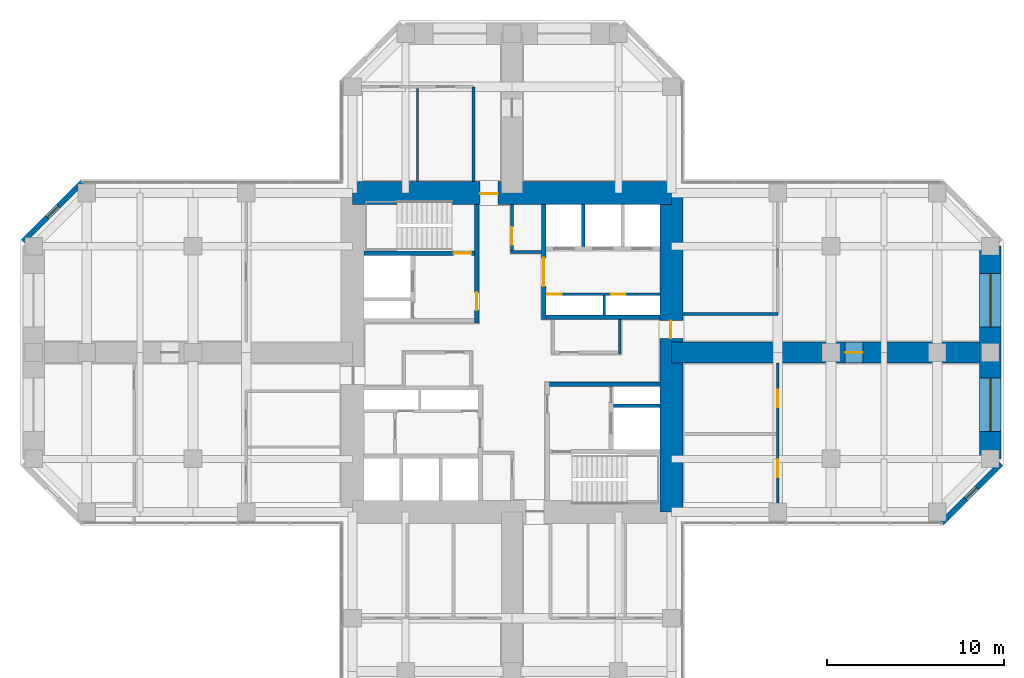
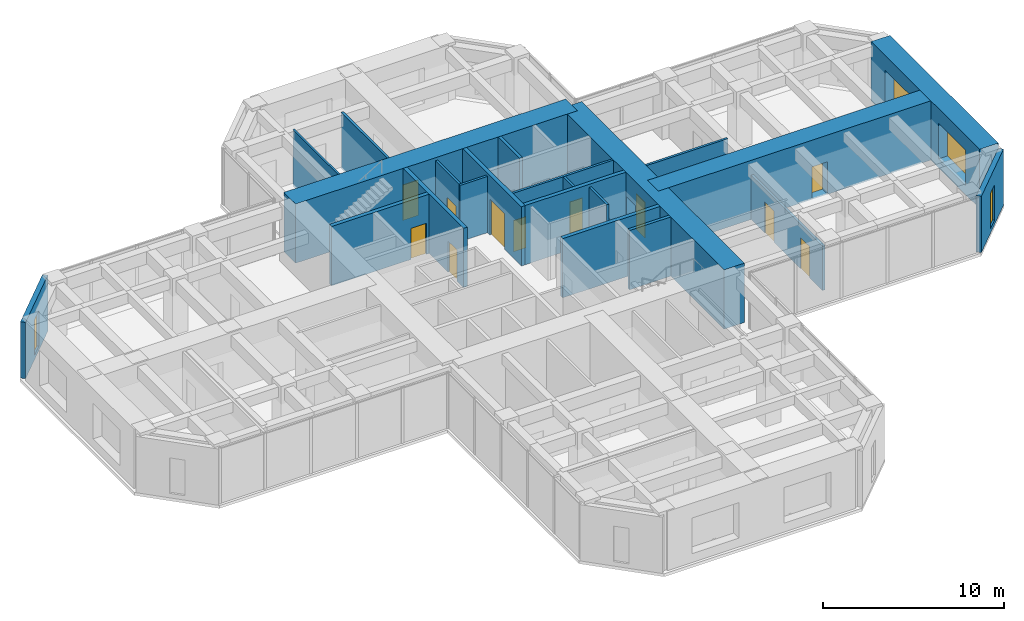
# One storey, part 10 of 12: 22 walls, 11 doors, 4 windows, 15 openings.
"""IFC4 building model written with IfcOpenShell, lengths in metres."""

from ifc_helpers import new_model, si_unit, direction, frame, frame_2d, origin, place, context, subcontext, project, spatial, rectangle, hollow_rectangle, extrude, material, layer, layer_set, constituent, constituent_set, type_object, element, fill, save


model = new_model("IFC4")

# Units and contexts
model_context = context("Model", 3, precision=1e-05, world=origin(), true_north=direction((0.0, 1.0)))
body_context = subcontext(model_context, "Body", "Model", "MODEL_VIEW")
ifc_project = project(units=[si_unit("LENGTHUNIT", "METRE"), si_unit("AREAUNIT", "SQUARE_METRE"), si_unit("VOLUMEUNIT", "CUBIC_METRE"), si_unit("PLANEANGLEUNIT", "RADIAN"), si_unit("MASSUNIT", "GRAM", prefix="KILO")], contexts=[model_context])

# Site, building, storey
site_placement = place(None, origin())
site = spatial("IfcSite", under=ifc_project, at=site_placement, CompositionType="ELEMENT")
building_placement = place(site_placement, origin())
building = spatial("IfcBuilding", under=site, at=building_placement, Name="Torre Cruceta", CompositionType="ELEMENT")
storey_placement = place(building_placement, frame((0.0, 0.0, 140.5)))
storey = spatial("IfcBuildingStorey", under=building, at=storey_placement, Name="L34", CompositionType="ELEMENT", Elevation=140.5)

# Wall, opening, door
ifc_material_1 = material(Name="Concrete G60 (fck 60 MPa)", Category="concrete")
ifc_layer_1 = layer(ifc_material_1, 0.25)
ifc_layer_set_1 = layer_set([ifc_layer_1], Name="Concrete G60 (fck 60 MPa)")
wall_type_1 = type_object("IfcWallType", Name="CORE INNER WALL 250 G60", PredefinedType="SHEAR", material=ifc_layer_set_1)
wall_1_placement = place(storey_placement, frame((1.800048828125, 1.875, 0.0), z_axis=(0.0, 0.0, 1.0), x_axis=(0.0, 1.0, 0.0)))
wall_1 = element("IfcWall", 1, at=wall_1_placement, inside=storey, type_object=wall_type_1, Name="CW4 L34 NE-CU", PredefinedType="SHEAR", context=body_context, shape_type="SweptSolid", body=[
    extrude(rectangle(XDim=6.47509765625, YDim=0.25, at=frame_2d((3.237548828125, 0.0))), origin(), (0.0, 0.0, 1.0), 4.0),
])
opening_1_placement = place(wall_1_placement, frame((1.875, 0.0, 0.0)))
opening_1 = element("IfcOpeningElement", 2, at=opening_1_placement, cuts=wall_1, Name="Opening D8", PredefinedType="OPENING", context=body_context, shape_type="SweptSolid", body=[
    extrude(rectangle(XDim=1.60009765625, YDim=2.39990234375, at=frame_2d((0.800048828125, 1.199951171875))), frame((0.0, 0.135009765625, 0.0), z_axis=(0.0, -1.0, 0.0), x_axis=(1.0, 0.0, 0.0)), (0.0, 0.0, 1.0), 0.27001953125),
])
ifc_material_2 = material(Name="Steel DX51D", Category="steel")
ifc_constituent_1 = constituent(ifc_material_2, Name="Leaf and frame")
ifc_material_3 = material(Name="Polyester powder coating", Category="paint")
ifc_constituent_2 = constituent(ifc_material_3, Name="Finish")
ifc_material_4 = material(Name="Fire-resisting glass", Category="glass")
ifc_constituent_3 = constituent(ifc_material_4, Name="Vision panel")
ifc_constituent_set_1 = constituent_set(constituents=[ifc_constituent_1, ifc_constituent_2, ifc_constituent_3], Name="Steel fire door with vision panels")
door_type_1 = type_object("IfcDoorType", Name="LIFT LOBBY DOUBLE DOOR 1600X2400", OperationType="DOUBLE_DOOR_DOUBLE_SWING", PredefinedType="DOOR", material=ifc_constituent_set_1)
door_1_placement = place(opening_1_placement, origin())
door_1 = element("IfcDoor", 3, at=door_1_placement, inside=storey, type_object=door_type_1, Name="D8 L34 NE-LOBBY", OperationType="DOUBLE_DOOR_DOUBLE_SWING", OverallHeight=2.39990234375, OverallWidth=1.60009765625, PredefinedType="DOOR", context=body_context, shape_type="SweptSolid", body=[
    extrude(rectangle(XDim=1.60009765625, YDim=2.39990234375, at=frame_2d((0.800048828125, 1.199951171875))), frame((0.0, 0.02490234375, 0.0), z_axis=(0.0, -1.0, 0.0), x_axis=(1.0, 0.0, 0.0)), (0.0, 0.0, 1.0), 0.050048828125),
])
fill(opening_1, door_1)

# Wall
wall_2_placement = place(storey_placement, frame((1.925048828125, 2.0, 0.0), z_axis=(0.0, 0.0, 1.0), x_axis=(1.0, 0.0, 0.0)))
element("IfcWall", 4, at=wall_2_placement, inside=storey, type_object=wall_type_1, Name="CW4 L34 NE-CV", PredefinedType="SHEAR", context=body_context, shape_type="SweptSolid", body=[
    extrude(rectangle(XDim=6.425048828125, YDim=0.25, at=frame_2d((3.21240234375, 0.0))), origin(), (0.0, 0.0, 1.0), 4.0),
])

# Wall, opening, door
wall_3_placement = place(storey_placement, frame((-2.0, 1.675048828125, 0.0), z_axis=(0.0, 0.0, 1.0), x_axis=(0.0, 1.0, 0.0)))
wall_3 = element("IfcWall", 5, at=wall_3_placement, inside=storey, type_object=wall_type_1, Name="CW4 L34 NW-CU", PredefinedType="SHEAR", context=body_context, shape_type="SweptSolid", body=[
    extrude(rectangle(XDim=6.675048828125, YDim=0.25, at=frame_2d((3.33740234375, 0.0))), origin(), (0.0, 0.0, 1.0), 4.0),
])
opening_2_placement = place(wall_3_placement, frame((0.72509765625, 0.0, 0.0)))
opening_2 = element("IfcOpeningElement", 6, at=opening_2_placement, cuts=wall_3, Name="Opening D3", PredefinedType="OPENING", context=body_context, shape_type="SweptSolid", body=[
    extrude(rectangle(XDim=1.0, YDim=2.10009765625, at=frame_2d((0.5, 1.050048828125))), frame((0.0, 0.135009765625, 0.0), z_axis=(0.0, -1.0, 0.0), x_axis=(1.0, 0.0, 0.0)), (0.0, 0.0, 1.0), 0.27001953125),
])
ifc_material_5 = material(Name="Steel DX51D", Category="steel")
ifc_constituent_4 = constituent(ifc_material_5, Name="Leaf and frame")
ifc_material_6 = material(Name="Polyester powder coating", Category="paint")
ifc_constituent_5 = constituent(ifc_material_6, Name="Finish")
ifc_constituent_set_2 = constituent_set(constituents=[ifc_constituent_4, ifc_constituent_5], Name="Steel fire door")
door_type_2 = type_object("IfcDoorType", Name="FIRE DOOR 1000X2100", OperationType="SINGLE_SWING_LEFT", PredefinedType="DOOR", material=ifc_constituent_set_2)
door_2_placement = place(opening_2_placement, origin())
door_2 = element("IfcDoor", 7, at=door_2_placement, inside=storey, type_object=door_type_2, Name="D3 L34 NW-LOBBY", OperationType="SINGLE_SWING_LEFT", OverallHeight=2.10009765625, OverallWidth=1.0, PredefinedType="DOOR", context=body_context, shape_type="SweptSolid", body=[
    extrude(rectangle(XDim=1.0, YDim=2.10009765625, at=frame_2d((0.5, 1.050048828125))), frame((0.0, 0.02490234375, 0.0), z_axis=(0.0, -1.0, 0.0), x_axis=(1.0, 0.0, 0.0)), (0.0, 0.0, 1.0), 0.050048828125),
])
fill(opening_2, door_2)

wall_4_placement = place(storey_placement, frame((-2.125, 5.60009765625, 0.0), z_axis=(0.0, 0.0, 1.0), x_axis=(-1.0, 0.0, 0.0)))
wall_4 = element("IfcWall", 8, at=wall_4_placement, inside=storey, type_object=wall_type_1, Name="CW4 L34 NW-SV", PredefinedType="SHEAR", context=body_context, shape_type="SweptSolid", body=[
    extrude(rectangle(XDim=6.22509765625, YDim=0.25, at=frame_2d((3.112548828125, 0.0))), origin(), (0.0, 0.0, 1.0), 4.0),
])
opening_3_placement = place(wall_4_placement, frame((0.175048828125, 0.0, 0.0)))
opening_3 = element("IfcOpeningElement", 9, at=opening_3_placement, cuts=wall_4, Name="Opening D3", PredefinedType="OPENING", context=body_context, shape_type="SweptSolid", body=[
    extrude(rectangle(XDim=1.0, YDim=2.10009765625, at=frame_2d((0.5, 1.050048828125))), frame((0.0, 0.135009765625, 0.0), z_axis=(0.0, -1.0, 0.0), x_axis=(1.0, 0.0, 0.0)), (0.0, 0.0, 1.0), 0.27001953125),
])
door_3_placement = place(opening_3_placement, frame((1.0, 0.0, 0.0), z_axis=(0.0, 0.0, 1.0), x_axis=(-1.0, 0.0, 0.0)))
door_3 = element("IfcDoor", 10, at=door_3_placement, inside=storey, type_object=door_type_2, Name="D3 L34 NW-STAIR", OperationType="SINGLE_SWING_RIGHT", OverallHeight=2.10009765625, OverallWidth=1.0, PredefinedType="DOOR", context=body_context, shape_type="SweptSolid", body=[
    extrude(rectangle(XDim=1.0, YDim=2.10009765625, at=frame_2d((0.5, 1.050048828125))), frame((0.0, 0.025146484375, 0.0), z_axis=(0.0, -1.0, 0.0), x_axis=(1.0, 0.0, 0.0)), (0.0, 0.0, 1.0), 0.050048828125),
])
fill(opening_3, door_3)

# Wall
wall_5_placement = place(storey_placement, frame((2.125, -1.800048828125, 0.0), z_axis=(0.0, 0.0, 1.0), x_axis=(1.0, 0.0, 0.0)))
element("IfcWall", 11, at=wall_5_placement, inside=storey, type_object=wall_type_1, Name="CW4 L34 SE-CV", PredefinedType="SHEAR", context=body_context, shape_type="SweptSolid", body=[
    extrude(rectangle(XDim=6.22509765625, YDim=0.25, at=frame_2d((3.112548828125, 0.0))), origin(), (0.0, 0.0, 1.0), 4.0),
])

# Wall, opening, door
ifc_material_7 = material(Name="Concrete G60 (fck 60 MPa)", Category="concrete")
ifc_layer_2 = layer(ifc_material_7, 1.300048828125)
ifc_layer_set_2 = layer_set([ifc_layer_2], Name="Concrete G60 (fck 60 MPa)")
wall_type_2 = type_object("IfcWallType", Name="CORE WALL 1300 G60", PredefinedType="SHEAR", material=ifc_layer_set_2)
wall_6_placement = place(storey_placement, frame((9.0, 9.0, 0.0), z_axis=(0.0, 0.0, 1.0), x_axis=(-1.0, 0.0, 0.0)))
wall_6 = element("IfcWall", 12, at=wall_6_placement, inside=storey, type_object=wall_type_2, Name="CW1 L34 CW-N", PredefinedType="SHEAR", context=body_context, shape_type="SweptSolid", body=[
    extrude(rectangle(XDim=18.0, YDim=1.300048828125, at=frame_2d((9.0, 0.0))), origin(), (0.0, 0.0, 1.0), 4.0),
])
opening_4_placement = place(wall_6_placement, frame((9.800048828125, 0.0, 0.0)))
opening_4 = element("IfcOpeningElement", 13, at=opening_4_placement, cuts=wall_6, Name="Opening D4", PredefinedType="OPENING", context=body_context, shape_type="SweptSolid", body=[
    extrude(rectangle(XDim=1.0, YDim=2.39990234375, at=frame_2d((0.5, 1.199951171875))), frame((0.0, 0.659912109375, 0.0), z_axis=(0.0, -1.0, 0.0), x_axis=(1.0, 0.0, 0.0)), (0.0, 0.0, 1.0), 1.320068359375),
])
ifc_material_8 = material(Name="Steel DX51D", Category="steel")
ifc_constituent_6 = constituent(ifc_material_8, Name="Leaf and frame")
ifc_material_9 = material(Name="Polyester powder coating", Category="paint")
ifc_constituent_7 = constituent(ifc_material_9, Name="Finish")
ifc_constituent_set_3 = constituent_set(constituents=[ifc_constituent_6, ifc_constituent_7], Name="Steel fire door")
door_type_3 = type_object("IfcDoorType", Name="CORE ARM DOOR 1000X2400", OperationType="SINGLE_SWING_RIGHT", PredefinedType="DOOR", material=ifc_constituent_set_3)
door_4_placement = place(opening_4_placement, frame((1.0, 0.0, 0.0), z_axis=(0.0, 0.0, 1.0), x_axis=(-1.0, 0.0, 0.0)))
door_4 = element("IfcDoor", 14, at=door_4_placement, inside=storey, type_object=door_type_3, Name="D4 L34 CW-N", OperationType="SINGLE_SWING_RIGHT", OverallHeight=2.39990234375, OverallWidth=1.0, PredefinedType="DOOR", context=body_context, shape_type="SweptSolid", body=[
    extrude(rectangle(XDim=1.0, YDim=2.39990234375, at=frame_2d((0.5, 1.199951171875))), frame((0.0, -0.005126953125, 0.0), z_axis=(0.0, -1.0, 0.0), x_axis=(1.0, 0.0, 0.0)), (0.0, 0.0, 1.0), 0.050048828125),
])
fill(opening_4, door_4)

wall_7_placement = place(storey_placement, frame((9.0, -9.0, 0.0), z_axis=(0.0, 0.0, 1.0), x_axis=(0.0, 1.0, 0.0)))
wall_7 = element("IfcWall", 15, at=wall_7_placement, inside=storey, type_object=wall_type_2, Name="CW1 L34 CW-E", PredefinedType="SHEAR", context=body_context, shape_type="SweptSolid", body=[
    extrude(rectangle(XDim=18.0, YDim=1.300048828125, at=frame_2d((9.0, 0.0))), origin(), (0.0, 0.0, 1.0), 4.0),
])
opening_5_placement = place(wall_7_placement, frame((9.800048828125, 0.0, 0.0)))
opening_5 = element("IfcOpeningElement", 16, at=opening_5_placement, cuts=wall_7, Name="Opening D4", PredefinedType="OPENING", context=body_context, shape_type="SweptSolid", body=[
    extrude(rectangle(XDim=1.0, YDim=2.39990234375, at=frame_2d((0.5, 1.199951171875))), frame((0.0, 0.659912109375, 0.0), z_axis=(0.0, -1.0, 0.0), x_axis=(1.0, 0.0, 0.0)), (0.0, 0.0, 1.0), 1.320068359375),
])
door_5_placement = place(opening_5_placement, frame((1.0, 0.0, 0.0), z_axis=(0.0, 0.0, 1.0), x_axis=(-1.0, 0.0, 0.0)))
door_5 = element("IfcDoor", 17, at=door_5_placement, inside=storey, type_object=door_type_3, Name="D4 L34 CW-E", OperationType="SINGLE_SWING_RIGHT", OverallHeight=2.39990234375, OverallWidth=1.0, PredefinedType="DOOR", context=body_context, shape_type="SweptSolid", body=[
    extrude(rectangle(XDim=1.0, YDim=2.39990234375, at=frame_2d((0.5, 1.199951171875))), frame((0.0, -0.005126953125, 0.0), z_axis=(0.0, -1.0, 0.0), x_axis=(1.0, 0.0, 0.0)), (0.0, 0.0, 1.0), 0.050048828125),
])
fill(opening_5, door_5)

# Wall, opening, window
ifc_material_10 = material(Name="Concrete G30 (fck 30 MPa)", Category="concrete")
ifc_layer_3 = layer(ifc_material_10, 0.300048828125)
ifc_layer_set_3 = layer_set([ifc_layer_3], Name="Concrete G30 (fck 30 MPa)")
wall_type_3 = type_object("IfcWallType", Name="EXPOSED CONCRETE FACADE WALL 300", PredefinedType="SOLIDWALL", material=ifc_layer_set_3)
wall_8_placement = place(storey_placement, frame((24.2568359375, -9.6201171875, 0.0), z_axis=(0.0, 0.0, 1.0), x_axis=(0.707106781187, 0.707106781187, 0.0)))
wall_8 = element("IfcWall", 18, at=wall_8_placement, inside=storey, type_object=wall_type_3, Name="EW1 facade wall L34 E chamfer 01", PredefinedType="SOLIDWALL", context=body_context, shape_type="SweptSolid", body=[
    extrude(rectangle(XDim=4.72802734375, YDim=0.300048828125, at=frame_2d((2.364013671875, 0.0))), origin(), (0.0, 0.0, 1.0), 3.800048828125),
])
opening_6_placement = place(wall_8_placement, frame((1.9140625, 0.0, 0.300048828125)))
opening_6 = element("IfcOpeningElement", 19, at=opening_6_placement, cuts=wall_8, Name="Opening WN5", PredefinedType="OPENING", context=body_context, shape_type="SweptSolid", body=[
    extrude(rectangle(XDim=0.89990234375, YDim=2.39990234375, at=frame_2d((0.449951171875, 1.199951171875))), frame((0.0, 0.159912109375, 0.0), z_axis=(0.0, -1.0, 0.0), x_axis=(1.0, 0.0, 0.0)), (0.0, 0.0, 1.0), 0.320068359375),
])
ifc_material_11 = material(Name="Aluminium window frame", Category="aluminium")
ifc_constituent_8 = constituent(ifc_material_11, Name="Frame")
ifc_material_12 = material(Name="Laminated insulating glass unit, low-iron clear", Category="glass")
ifc_constituent_9 = constituent(ifc_material_12, Name="Glazing")
ifc_constituent_set_4 = constituent_set(constituents=[ifc_constituent_8, ifc_constituent_9], Name="Aluminium window")
window_type_1 = type_object("IfcWindowType", Name="CHAMFER SLOT WINDOW 900X2400", PartitioningType="SINGLE_PANEL", PredefinedType="WINDOW", material=ifc_constituent_set_4)
window_1_placement = place(opening_6_placement, origin())
window_1 = element("IfcWindow", 20, at=window_1_placement, inside=storey, type_object=window_type_1, Name="WN5 L34 E 1", OverallHeight=2.39990234375, OverallWidth=0.89990234375, PartitioningType="SINGLE_PANEL", PredefinedType="WINDOW", context=body_context, shape_type="SweptSolid", body=[
    extrude(hollow_rectangle(XDim=0.89990234375, YDim=2.39990234375, WallThickness=0.06005859375, at=frame_2d((0.449951171875, 1.199951171875))), frame((0.0, 0.030029296875, 0.0), z_axis=(0.0, -1.0, 0.0), x_axis=(1.0, 0.0, 0.0)), (0.0, 0.0, 1.0), 0.06005859375),
    extrude(rectangle(XDim=0.77880859375, YDim=2.27880859375, at=frame_2d((0.449951171875, 1.199951171875))), frame((0.0, 0.030029296875, 0.0), z_axis=(0.0, -1.0, 0.0), x_axis=(1.0, 0.0, 0.0)), (0.0, 0.0, 1.0), 0.06005859375),
])
fill(opening_6, window_1)

wall_9_placement = place(storey_placement, frame((-24.2568359375, 9.6201171875, 0.0), z_axis=(0.0, 0.0, 1.0), x_axis=(-0.707106781187, -0.707106781187, 0.0)))
wall_9 = element("IfcWall", 21, at=wall_9_placement, inside=storey, type_object=wall_type_3, Name="EW1 facade wall L34 W chamfer 11", PredefinedType="SOLIDWALL", context=body_context, shape_type="SweptSolid", body=[
    extrude(rectangle(XDim=4.72802734375, YDim=0.300048828125, at=frame_2d((2.364013671875, 0.0))), origin(), (0.0, 0.0, 1.0), 3.800048828125),
])
opening_7_placement = place(wall_9_placement, frame((1.9140625, 0.0, 0.300048828125)))
opening_7 = element("IfcOpeningElement", 22, at=opening_7_placement, cuts=wall_9, Name="Opening WN5", PredefinedType="OPENING", context=body_context, shape_type="SweptSolid", body=[
    extrude(rectangle(XDim=0.89990234375, YDim=2.39990234375, at=frame_2d((0.449951171875, 1.199951171875))), frame((0.0, 0.159912109375, 0.0), z_axis=(0.0, -1.0, 0.0), x_axis=(1.0, 0.0, 0.0)), (0.0, 0.0, 1.0), 0.320068359375),
])
window_2_placement = place(opening_7_placement, origin())
window_2 = element("IfcWindow", 23, at=window_2_placement, inside=storey, type_object=window_type_1, Name="WN5 L34 W 1", OverallHeight=2.39990234375, OverallWidth=0.89990234375, PartitioningType="SINGLE_PANEL", PredefinedType="WINDOW", context=body_context, shape_type="SweptSolid", body=[
    extrude(hollow_rectangle(XDim=0.89990234375, YDim=2.39990234375, WallThickness=0.06005859375, at=frame_2d((0.449951171875, 1.199951171875))), frame((0.0, 0.030029296875, 0.0), z_axis=(0.0, -1.0, 0.0), x_axis=(1.0, 0.0, 0.0)), (0.0, 0.0, 1.0), 0.06005859375),
    extrude(rectangle(XDim=0.77880859375, YDim=2.27880859375, at=frame_2d((0.449951171875, 1.199951171875))), frame((0.0, 0.030029296875, 0.0), z_axis=(0.0, -1.0, 0.0), x_axis=(1.0, 0.0, 0.0)), (0.0, 0.0, 1.0), 0.06005859375),
])
fill(opening_7, window_2)

# Walls
ifc_material_13 = material(Name="Concrete G35 (fck 35 MPa)", Category="concrete")
ifc_layer_4 = layer(ifc_material_13, 0.199951171875)
ifc_layer_set_4 = layer_set([ifc_layer_4], Name="Concrete G35 (fck 35 MPa)")
wall_type_4 = type_object("IfcWallType", Name="LIFT SHAFT WALL 200", PredefinedType="PARTITIONING", material=ifc_layer_set_4)
wall_10_placement = place(storey_placement, frame((4.033447265625, 5.97509765625, 0.0), z_axis=(0.0, 0.0, 1.0), x_axis=(0.0, 1.0, 0.0)))
element("IfcWall", 24, at=wall_10_placement, inside=storey, type_object=wall_type_4, Name="SW1 L34 NE-LS1", PredefinedType="PARTITIONING", context=body_context, shape_type="SweptSolid", body=[
    extrude(rectangle(XDim=2.375, YDim=0.199951171875, at=frame_2d((1.1875, 0.0))), origin(), (0.0, 0.0, 1.0), 4.0),
])
wall_11_placement = place(storey_placement, frame((5.72509765625, -3.0, 0.0), z_axis=(0.0, 0.0, 1.0), x_axis=(1.0, 0.0, 0.0)))
element("IfcWall", 25, at=wall_11_placement, inside=storey, type_object=wall_type_4, Name="SW1 L34 SE-FR", PredefinedType="PARTITIONING", context=body_context, shape_type="SweptSolid", body=[
    extrude(rectangle(XDim=2.625, YDim=0.199951171875, at=frame_2d((1.3125, 0.0))), origin(), (0.0, 0.0, 1.0), 4.0),
])

# Wall, openings, windows
ifc_material_14 = material(Name="Concrete G60 (fck 60 MPa)", Category="concrete")
ifc_layer_5 = layer(ifc_material_14, 1.199951171875)
ifc_layer_set_5 = layer_set([ifc_layer_5], Name="Concrete G60 (fck 60 MPa)")
wall_type_5 = type_object("IfcWallType", Name="NOSE WALL 1200 G60", PredefinedType="SHEAR", material=ifc_layer_set_5)
wall_12_placement = place(storey_placement, frame((27.0, -6.0, 0.0), z_axis=(0.0, 0.0, 1.0), x_axis=(0.0, 1.0, 0.0)))
wall_12 = element("IfcWall", 26, at=wall_12_placement, inside=storey, type_object=wall_type_5, Name="NW1 nose wall L34 E", PredefinedType="SHEAR", context=body_context, shape_type="SweptSolid", body=[
    extrude(rectangle(XDim=12.0, YDim=1.199951171875, at=frame_2d((6.0, 0.0))), origin(), (0.0, 0.0, 1.0), 4.0),
])
opening_8_placement = place(wall_12_placement, frame((1.550048828125, 0.0, 0.60009765625)))
opening_8 = element("IfcOpeningElement", 27, at=opening_8_placement, cuts=wall_12, Name="Opening WN6", PredefinedType="OPENING", context=body_context, shape_type="SweptSolid", body=[
    extrude(rectangle(XDim=3.0, YDim=2.39990234375, at=frame_2d((1.5, 1.199951171875))), frame((0.0, 0.60986328125, 0.0), z_axis=(0.0, -1.0, 0.0), x_axis=(1.0, 0.0, 0.0)), (0.0, 0.0, 1.0), 1.219970703125),
])
opening_9_placement = place(wall_12_placement, frame((7.449951171875, 0.0, 0.60009765625)))
opening_9 = element("IfcOpeningElement", 28, at=opening_9_placement, cuts=wall_12, Name="Opening WN6", PredefinedType="OPENING", context=body_context, shape_type="SweptSolid", body=[
    extrude(rectangle(XDim=3.0, YDim=2.39990234375, at=frame_2d((1.5, 1.199951171875))), frame((0.0, 0.60986328125, 0.0), z_axis=(0.0, -1.0, 0.0), x_axis=(1.0, 0.0, 0.0)), (0.0, 0.0, 1.0), 1.219970703125),
])
ifc_material_15 = material(Name="Aluminium window frame", Category="aluminium")
ifc_constituent_10 = constituent(ifc_material_15, Name="Frame")
ifc_material_16 = material(Name="Laminated insulating glass unit, low-iron clear", Category="glass")
ifc_constituent_11 = constituent(ifc_material_16, Name="Glazing")
ifc_constituent_set_5 = constituent_set(constituents=[ifc_constituent_10, ifc_constituent_11], Name="Aluminium window")
window_type_2 = type_object("IfcWindowType", Name="NOSE WALL WINDOW 3000X2400", PartitioningType="SINGLE_PANEL", PredefinedType="WINDOW", material=ifc_constituent_set_5)
window_3_placement = place(opening_8_placement, origin())
window_3 = element("IfcWindow", 29, at=window_3_placement, inside=storey, type_object=window_type_2, Name="WN6 L34 E 1", OverallHeight=2.39990234375, OverallWidth=3.0, PartitioningType="SINGLE_PANEL", PredefinedType="WINDOW", context=body_context, shape_type="SweptSolid", body=[
    extrude(hollow_rectangle(XDim=3.0, YDim=2.39990234375, WallThickness=0.06005859375, at=frame_2d((1.5, 1.199951171875))), frame((0.0, 0.030029296875, 0.0), z_axis=(0.0, -1.0, 0.0), x_axis=(1.0, 0.0, 0.0)), (0.0, 0.0, 1.0), 0.06005859375),
    extrude(rectangle(XDim=2.87890625, YDim=2.27880859375, at=frame_2d((1.5, 1.199951171875))), frame((0.0, 0.030029296875, 0.0), z_axis=(0.0, -1.0, 0.0), x_axis=(1.0, 0.0, 0.0)), (0.0, 0.0, 1.0), 0.06005859375),
])
fill(opening_8, window_3)
window_4_placement = place(opening_9_placement, origin())
window_4 = element("IfcWindow", 30, at=window_4_placement, inside=storey, type_object=window_type_2, Name="WN6 L34 E 2", OverallHeight=2.39990234375, OverallWidth=3.0, PartitioningType="SINGLE_PANEL", PredefinedType="WINDOW", context=body_context, shape_type="SweptSolid", body=[
    extrude(hollow_rectangle(XDim=3.0, YDim=2.39990234375, WallThickness=0.06005859375, at=frame_2d((1.5, 1.199951171875))), frame((0.0, 0.030029296875, 0.0), z_axis=(0.0, -1.0, 0.0), x_axis=(1.0, 0.0, 0.0)), (0.0, 0.0, 1.0), 0.06005859375),
    extrude(rectangle(XDim=2.87890625, YDim=2.27880859375, at=frame_2d((1.5, 1.199951171875))), frame((0.0, 0.030029296875, 0.0), z_axis=(0.0, -1.0, 0.0), x_axis=(1.0, 0.0, 0.0)), (0.0, 0.0, 1.0), 0.06005859375),
])
fill(opening_9, window_4)

# Wall
ifc_material_17 = material(Name="Plasterboard on steel studs", Category="steel")
ifc_layer_6 = layer(ifc_material_17, 0.14990234375)
ifc_layer_set_6 = layer_set([ifc_layer_6], Name="Plasterboard on steel studs")
wall_type_6 = type_object("IfcWallType", Name="PARTITION 150", PredefinedType="PARTITIONING", material=ifc_layer_set_6)
wall_13_placement = place(storey_placement, frame((6.074951171875, -0.074951171875, 0.0), z_axis=(0.0, 0.0, 1.0), x_axis=(0.0, 1.0, 0.0)))
element("IfcWall", 31, at=wall_13_placement, inside=storey, type_object=wall_type_6, Name="PT1 L34-CORE-LEGE-N-W3", PredefinedType="PARTITIONING", context=body_context, shape_type="SweptSolid", body=[
    extrude(rectangle(XDim=1.949951171875, YDim=0.14990234375, at=frame_2d((0.97509765625, 0.0))), origin(), (0.0, 0.0, 1.0), 3.800048828125),
])

# Wall, opening, door
wall_14_placement = place(storey_placement, frame((0.0, 5.675048828125, 0.0), z_axis=(0.0, 0.0, 1.0), x_axis=(0.0, 1.0, 0.0)))
wall_14 = element("IfcWall", 32, at=wall_14_placement, inside=storey, type_object=wall_type_6, Name="PT1 L34-CORE-LEGN-E-W1", PredefinedType="PARTITIONING", context=body_context, shape_type="SweptSolid", body=[
    extrude(rectangle(XDim=2.675048828125, YDim=0.14990234375, at=frame_2d((1.33740234375, 0.0))), origin(), (0.0, 0.0, 1.0), 3.800048828125),
])
opening_10_placement = place(wall_14_placement, frame((0.39990234375, 0.0, 0.0)))
opening_10 = element("IfcOpeningElement", 33, at=opening_10_placement, cuts=wall_14, Name="Opening D3", PredefinedType="OPENING", context=body_context, shape_type="SweptSolid", body=[
    extrude(rectangle(XDim=1.0, YDim=2.10009765625, at=frame_2d((0.5, 1.050048828125))), frame((0.0, 0.0849609375, 0.0), z_axis=(0.0, -1.0, 0.0), x_axis=(1.0, 0.0, 0.0)), (0.0, 0.0, 1.0), 0.169921875),
])
door_6_placement = place(opening_10_placement, frame((1.0, 0.0, 0.0), z_axis=(0.0, 0.0, 1.0), x_axis=(-1.0, 0.0, 0.0)))
door_6 = element("IfcDoor", 34, at=door_6_placement, inside=storey, type_object=door_type_2, Name="D3 L34-CORE-LEGN-E-W1-D1", OperationType="SINGLE_SWING_RIGHT", OverallHeight=2.10009765625, OverallWidth=1.0, PredefinedType="DOOR", context=body_context, shape_type="SweptSolid", body=[
    extrude(rectangle(XDim=1.0, YDim=2.10009765625, at=frame_2d((0.5, 1.050048828125))), frame((0.0, 0.025146484375, 0.0), z_axis=(0.0, -1.0, 0.0), x_axis=(1.0, 0.0, 0.0)), (0.0, 0.0, 1.0), 0.050048828125),
])
fill(opening_10, door_6)

# Walls
wall_15_placement = place(storey_placement, frame((1.675048828125, 5.675048828125, 0.0), z_axis=(0.0, 0.0, 1.0), x_axis=(-1.0, 0.0, 0.0)))
element("IfcWall", 35, at=wall_15_placement, inside=storey, type_object=wall_type_6, Name="PT1 L34-CORE-LEGN-E-W2", PredefinedType="PARTITIONING", context=body_context, shape_type="SweptSolid", body=[
    extrude(rectangle(XDim=1.75, YDim=0.14990234375, at=frame_2d((0.875, 0.0))), origin(), (0.0, 0.0, 1.0), 3.800048828125),
])
for number, where, z_axis, x_axis, name in (
    (36, (-2.175048828125, 9.64990234375, 0.0), (0.0, 0.0, 1.0), (0.0, 1.0, 0.0), "PT1 L34-N-BSL"),
    (37, (9.64990234375, 2.175048828125, 0.0), (0.0, 0.0, 1.0), (1.0, 0.0, 0.0), "PT1 L34-E-BSL"),
):
    element("IfcWall", number, at=place(storey_placement, frame(where, z_axis=z_axis, x_axis=x_axis)), inside=storey, type_object=wall_type_6, Name=name, PredefinedType="PARTITIONING", context=body_context, shape_type="SweptSolid", body=[
        extrude(rectangle(XDim=5.35009765625, YDim=0.14990234375, at=frame_2d((2.675048828125, 0.0))), origin(), (0.0, 0.0, 1.0), 3.800048828125),
    ])

# Wall, openings, doors
wall_16_placement = place(storey_placement, frame((15.0, -8.5, 0.0), z_axis=(0.0, 0.0, 1.0), x_axis=(0.0, 1.0, 0.0)))
wall_16 = element("IfcWall", 38, at=wall_16_placement, inside=storey, type_object=wall_type_6, Name="PT1 L34-E-BFR", PredefinedType="PARTITIONING", context=body_context, shape_type="SweptSolid", body=[
    extrude(rectangle(XDim=7.89990234375, YDim=0.14990234375, at=frame_2d((3.949951171875, 0.0))), origin(), (0.0, 0.0, 1.0), 3.0),
])
opening_11_placement = place(wall_16_placement, frame((1.449951171875, 0.0, 0.0)))
opening_11 = element("IfcOpeningElement", 39, at=opening_11_placement, cuts=wall_16, Name="Opening D3", PredefinedType="OPENING", context=body_context, shape_type="SweptSolid", body=[
    extrude(rectangle(XDim=1.0, YDim=2.10009765625, at=frame_2d((0.5, 1.050048828125))), frame((0.0, 0.0849609375, 0.0), z_axis=(0.0, -1.0, 0.0), x_axis=(1.0, 0.0, 0.0)), (0.0, 0.0, 1.0), 0.169921875),
])
opening_12_placement = place(wall_16_placement, frame((5.39990234375, 0.0, 0.0)))
opening_12 = element("IfcOpeningElement", 40, at=opening_12_placement, cuts=wall_16, Name="Opening D3", PredefinedType="OPENING", context=body_context, shape_type="SweptSolid", body=[
    extrude(rectangle(XDim=1.0, YDim=2.10009765625, at=frame_2d((0.5, 1.050048828125))), frame((0.0, 0.0849609375, 0.0), z_axis=(0.0, -1.0, 0.0), x_axis=(1.0, 0.0, 0.0)), (0.0, 0.0, 1.0), 0.169921875),
])
door_7_placement = place(opening_11_placement, origin())
door_7 = element("IfcDoor", 41, at=door_7_placement, inside=storey, type_object=door_type_2, Name="D3 L34-E-BFR-D1", OperationType="SINGLE_SWING_RIGHT", OverallHeight=2.10009765625, OverallWidth=1.0, PredefinedType="DOOR", context=body_context, shape_type="SweptSolid", body=[
    extrude(rectangle(XDim=1.0, YDim=2.10009765625, at=frame_2d((0.5, 1.050048828125))), frame((0.0, 0.02490234375, 0.0), z_axis=(0.0, -1.0, 0.0), x_axis=(1.0, 0.0, 0.0)), (0.0, 0.0, 1.0), 0.050048828125),
])
fill(opening_11, door_7)
door_8_placement = place(opening_12_placement, origin())
door_8 = element("IfcDoor", 42, at=door_8_placement, inside=storey, type_object=door_type_2, Name="D3 L34-E-BFR-D2", OperationType="SINGLE_SWING_LEFT", OverallHeight=2.10009765625, OverallWidth=1.0, PredefinedType="DOOR", context=body_context, shape_type="SweptSolid", body=[
    extrude(rectangle(XDim=1.0, YDim=2.10009765625, at=frame_2d((0.5, 1.050048828125))), frame((0.0, 0.02490234375, 0.0), z_axis=(0.0, -1.0, 0.0), x_axis=(1.0, 0.0, 0.0)), (0.0, 0.0, 1.0), 0.050048828125),
])
fill(opening_12, door_8)

ifc_material_18 = material(Name="Concrete block masonry", Category="masonry")
ifc_layer_7 = layer(ifc_material_18, 0.14990234375)
ifc_layer_set_7 = layer_set([ifc_layer_7], Name="Concrete block masonry")
wall_type_7 = type_object("IfcWallType", Name="RISER WALL 150", PredefinedType="PARTITIONING", material=ifc_layer_set_7)
wall_17_placement = place(storey_placement, frame((1.925048828125, 3.300048828125, 0.0), z_axis=(0.0, 0.0, 1.0), x_axis=(1.0, 0.0, 0.0)))
wall_17 = element("IfcWall", 43, at=wall_17_placement, inside=storey, type_object=wall_type_7, Name="SW7 L34 NE-RV", PredefinedType="PARTITIONING", context=body_context, shape_type="SweptSolid", body=[
    extrude(rectangle(XDim=6.425048828125, YDim=0.14990234375, at=frame_2d((3.21240234375, 0.0))), origin(), (0.0, 0.0, 1.0), 4.0),
])
opening_13_placement = place(wall_17_placement, frame((0.074951171875, 0.0, 0.0)))
opening_13 = element("IfcOpeningElement", 44, at=opening_13_placement, cuts=wall_17, Name="Opening D5", PredefinedType="OPENING", context=body_context, shape_type="SweptSolid", body=[
    extrude(rectangle(XDim=0.800048828125, YDim=2.10009765625, at=frame_2d((0.39990234375, 1.050048828125))), frame((0.0, 0.0849609375, 0.0), z_axis=(0.0, -1.0, 0.0), x_axis=(1.0, 0.0, 0.0)), (0.0, 0.0, 1.0), 0.169921875),
])
opening_14_placement = place(wall_17_placement, frame((3.675048828125, 0.0, 0.0)))
opening_14 = element("IfcOpeningElement", 45, at=opening_14_placement, cuts=wall_17, Name="Opening D5", PredefinedType="OPENING", context=body_context, shape_type="SweptSolid", body=[
    extrude(rectangle(XDim=0.800048828125, YDim=2.10009765625, at=frame_2d((0.39990234375, 1.050048828125))), frame((0.0, 0.0849609375, 0.0), z_axis=(0.0, -1.0, 0.0), x_axis=(1.0, 0.0, 0.0)), (0.0, 0.0, 1.0), 0.169921875),
])
ifc_material_19 = material(Name="Steel DX51D", Category="steel")
ifc_constituent_12 = constituent(ifc_material_19, Name="Leaf and frame")
ifc_material_20 = material(Name="Polyester powder coating", Category="paint")
ifc_constituent_13 = constituent(ifc_material_20, Name="Finish")
ifc_constituent_set_6 = constituent_set(constituents=[ifc_constituent_12, ifc_constituent_13], Name="Steel fire door")
door_type_4 = type_object("IfcDoorType", Name="RISER ACCESS DOOR 800X2100", OperationType="SINGLE_SWING_LEFT", PredefinedType="DOOR", material=ifc_constituent_set_6)
door_9_placement = place(opening_13_placement, frame((0.800048828125, 0.0, 0.0), z_axis=(0.0, 0.0, 1.0), x_axis=(-1.0, 0.0, 0.0)))
door_9 = element("IfcDoor", 46, at=door_9_placement, inside=storey, type_object=door_type_4, Name="D5 L34 NE-RISER1", OperationType="SINGLE_SWING_RIGHT", OverallHeight=2.10009765625, OverallWidth=0.800048828125, PredefinedType="DOOR", context=body_context, shape_type="SweptSolid", body=[
    extrude(rectangle(XDim=0.800048828125, YDim=2.10009765625, at=frame_2d((0.400146484375, 1.050048828125))), frame((0.0, 0.025146484375, 0.0), z_axis=(0.0, -1.0, 0.0), x_axis=(1.0, 0.0, 0.0)), (0.0, 0.0, 1.0), 0.050048828125),
])
fill(opening_13, door_9)
door_10_placement = place(opening_14_placement, frame((0.800048828125, 0.0, 0.0), z_axis=(0.0, 0.0, 1.0), x_axis=(-1.0, 0.0, 0.0)))
door_10 = element("IfcDoor", 47, at=door_10_placement, inside=storey, type_object=door_type_4, Name="D5 L34 NE-RISER2", OperationType="SINGLE_SWING_RIGHT", OverallHeight=2.10009765625, OverallWidth=0.800048828125, PredefinedType="DOOR", context=body_context, shape_type="SweptSolid", body=[
    extrude(rectangle(XDim=0.800048828125, YDim=2.10009765625, at=frame_2d((0.400146484375, 1.050048828125))), frame((0.0, 0.025146484375, 0.0), z_axis=(0.0, -1.0, 0.0), x_axis=(1.0, 0.0, 0.0)), (0.0, 0.0, 1.0), 0.050048828125),
])
fill(opening_14, door_10)

# Wall
wall_18_placement = place(storey_placement, frame((5.199951171875, 2.125, 0.0), z_axis=(0.0, 0.0, 1.0), x_axis=(0.0, 1.0, 0.0)))
element("IfcWall", 48, at=wall_18_placement, inside=storey, type_object=wall_type_7, Name="SW7 L34 NE-RU", PredefinedType="PARTITIONING", context=body_context, shape_type="SweptSolid", body=[
    extrude(rectangle(XDim=1.10009765625, YDim=0.14990234375, at=frame_2d((0.550048828125, 0.0))), origin(), (0.0, 0.0, 1.0), 4.0),
])

# Wall, opening, door
ifc_material_21 = material(Name="Concrete G60 (fck 60 MPa)", Category="concrete")
ifc_layer_8 = layer(ifc_material_21, 1.199951171875)
ifc_layer_set_8 = layer_set([ifc_layer_8], Name="Concrete G60 (fck 60 MPa)")
wall_type_8 = type_object("IfcWallType", Name="SPINE WALL 1200 G60", PredefinedType="SHEAR", material=ifc_layer_set_8)
wall_19_placement = place(storey_placement, frame((9.0, 0.0, 0.0), z_axis=(0.0, 0.0, 1.0), x_axis=(1.0, 0.0, 0.0)))
wall_19 = element("IfcWall", 49, at=wall_19_placement, inside=storey, type_object=wall_type_8, Name="SW3 spine wall L34 E", PredefinedType="SHEAR", context=body_context, shape_type="SweptSolid", body=[
    extrude(rectangle(XDim=18.0, YDim=1.199951171875, at=frame_2d((9.0, 0.0))), origin(), (0.0, 0.0, 1.0), 4.0),
])
opening_15_placement = place(wall_19_placement, frame((9.800048828125, 0.0, 0.0)))
opening_15 = element("IfcOpeningElement", 50, at=opening_15_placement, cuts=wall_19, Name="Opening D14", PredefinedType="OPENING", context=body_context, shape_type="SweptSolid", body=[
    extrude(rectangle(XDim=1.0, YDim=2.199951171875, at=frame_2d((0.5, 1.10009765625))), frame((0.0, 0.60986328125, 0.0), z_axis=(0.0, -1.0, 0.0), x_axis=(1.0, 0.0, 0.0)), (0.0, 0.0, 1.0), 1.219970703125),
])
ifc_material_22 = material(Name="Steel DX51D", Category="steel")
ifc_constituent_14 = constituent(ifc_material_22, Name="Leaf and frame")
ifc_material_23 = material(Name="Polyester powder coating", Category="paint")
ifc_constituent_15 = constituent(ifc_material_23, Name="Finish")
ifc_material_24 = material(Name="Fire-resisting glass", Category="glass")
ifc_constituent_16 = constituent(ifc_material_24, Name="Vision panel")
ifc_constituent_set_7 = constituent_set(constituents=[ifc_constituent_14, ifc_constituent_15, ifc_constituent_16], Name="Steel fire door with vision panel")
door_type_5 = type_object("IfcDoorType", Name="FIRE DOOR VISION PANEL 1000X2200", OperationType="SINGLE_SWING_RIGHT", PredefinedType="DOOR", material=ifc_constituent_set_7)
door_11_placement = place(opening_15_placement, frame((1.0, 0.0, 0.0), z_axis=(0.0, 0.0, 1.0), x_axis=(-1.0, 0.0, 0.0)))
door_11 = element("IfcDoor", 51, at=door_11_placement, inside=storey, type_object=door_type_5, Name="D14 L34-E-SP1", OperationType="SINGLE_SWING_RIGHT", OverallHeight=2.199951171875, OverallWidth=1.0, PredefinedType="DOOR", context=body_context, shape_type="SweptSolid", body=[
    extrude(rectangle(XDim=1.0, YDim=2.199951171875, at=frame_2d((0.5, 1.10009765625))), frame((0.0, 0.025146484375, 0.0), z_axis=(0.0, -1.0, 0.0), x_axis=(1.0, 0.0, 0.0)), (0.0, 0.0, 1.0), 0.050048828125),
])
fill(opening_15, door_11)

# Wall
ifc_material_25 = material(Name="Plasterboard on steel studs", Category="steel")
ifc_layer_9 = layer(ifc_material_25, 0.1201171875)
ifc_layer_set_9 = layer_set([ifc_layer_9], Name="Plasterboard on steel studs")
wall_type_9 = type_object("IfcWallType", Name="WC PARTITION 120", PredefinedType="PLUMBINGWALL", material=ifc_layer_set_9)
wall_20_placement = place(storey_placement, frame((-5.33740234375, 9.64990234375, 0.0), z_axis=(0.0, 0.0, 1.0), x_axis=(0.0, 1.0, 0.0)))
element("IfcWall", 52, at=wall_20_placement, inside=storey, type_object=wall_type_9, Name="PT5 L34-N-BDL1", PredefinedType="PLUMBINGWALL", context=body_context, shape_type="SweptSolid", body=[
    extrude(rectangle(XDim=5.25, YDim=0.1201171875, at=frame_2d((2.625, 0.0))), origin(), (0.0, 0.0, 1.0), 3.800048828125),
])

save(model, "model.ifc")
